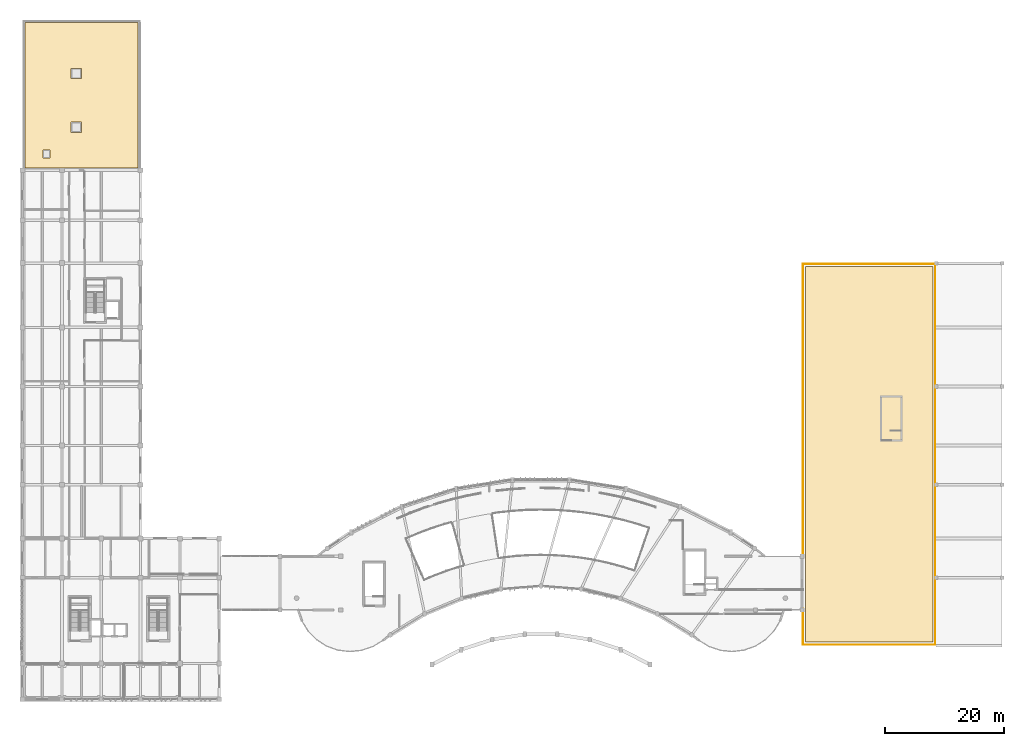
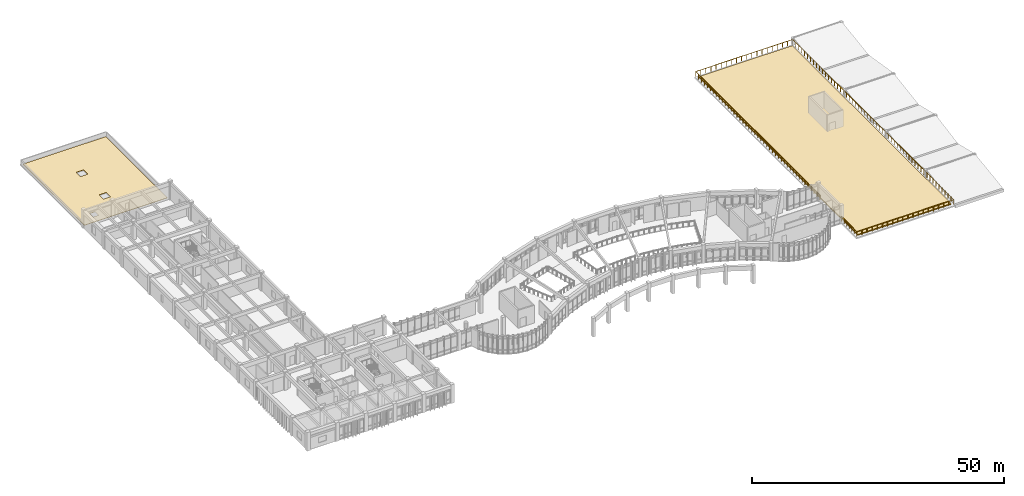
# One storey, part 53 of 54: 2 coverings, 1 railing.
"""IFC4 building model written with IfcOpenShell, lengths in metres."""

from ifc_helpers import new_model, si_unit, direction, frame, origin, origin_2d, place, context, subcontext, project, spatial, polyline, circle, outline, extrude, material, layer, layer_set, type_object, element, save


model = new_model("IFC4")

# Units and contexts
model_context = context("Model", 3, precision=1e-05, world=origin(), true_north=direction((0.0, 1.0)))
body_context = subcontext(model_context, "Body", "Model", "MODEL_VIEW")
ifc_project = project(units=[si_unit("LENGTHUNIT", "METRE"), si_unit("AREAUNIT", "SQUARE_METRE"), si_unit("VOLUMEUNIT", "CUBIC_METRE"), si_unit("PLANEANGLEUNIT", "RADIAN"), si_unit("MASSUNIT", "GRAM", prefix="KILO")], contexts=[model_context])

# Site, building, storey
site_placement = place(None, origin())
site = spatial("IfcSite", under=ifc_project, at=site_placement, CompositionType="ELEMENT")
building_placement = place(site_placement, origin())
building = spatial("IfcBuilding", under=site, at=building_placement, Name="Miralva Faculty of Natural Sciences", CompositionType="ELEMENT")
storey_placement = place(building_placement, frame((0.0, 0.0, 19.5)))
storey = spatial("IfcBuildingStorey", under=building, at=storey_placement, Name="L04", CompositionType="ELEMENT", Elevation=19.5)

# Coverings
ifc_material_1 = material(Name="Elastomeric waterproofing membrane")
ifc_layer_1 = layer(ifc_material_1, 0.0849609375, Name="COV-RF01")
ifc_layer_set_1 = layer_set([ifc_layer_1], Name="Elastomeric waterproofing membrane")
covering_type_1 = type_object("IfcCoveringType", Name="COV-RF01", PredefinedType="ROOFING", material=ifc_layer_set_1)
covering_1_placement = place(storey_placement, origin())
element("IfcCovering", 1, at=covering_1_placement, inside=storey, type_object=covering_type_1, Name="Roof membrane and substrate L04-5", PredefinedType="ROOFING", context=body_context, shape_type="SweptSolid", body=[
    extrude(outline(polyline([(22.39990234375, 92.199951171875), (3.39990234375, 92.199951171875), (3.39990234375, 116.60009765625), (22.39990234375, 116.60009765625), (22.39990234375, 92.199951171875)]), holes=[polyline([(11.14990234375, 98.14990234375), (12.85009765625, 98.14990234375), (12.85009765625, 99.85009765625), (11.14990234375, 99.85009765625), (11.14990234375, 98.14990234375)]), polyline([(11.14990234375, 108.85009765625), (11.14990234375, 107.14990234375), (12.85009765625, 107.14990234375), (12.85009765625, 108.85009765625), (11.14990234375, 108.85009765625)]), polyline([(7.60009765625, 95.199951171875), (6.39990234375, 95.199951171875), (6.39990234375, 93.800048828125), (7.60009765625, 93.800048828125), (7.60009765625, 95.199951171875)])]), origin(), (0.0, 0.0, 1.0), 0.0849609375),
])
ifc_material_2 = material(Name="Planted green-roof substrate soil")
ifc_layer_2 = layer(ifc_material_2, 0.25, Name="COV-RF02")
ifc_layer_set_2 = layer_set([ifc_layer_2], Name="Planted green-roof substrate soil")
covering_type_2 = type_object("IfcCoveringType", Name="COV-RF02", PredefinedType="ROOFING", material=ifc_layer_set_2)
covering_2_placement = place(storey_placement, origin())
element("IfcCovering", 2, at=covering_2_placement, inside=storey, type_object=covering_type_2, Name="Roof membrane and substrate L04-4", PredefinedType="ROOFING", context=body_context, shape_type="SweptSolid", body=[
    extrude(outline(polyline([(155.800048828125, 12.60009765625), (134.39990234375, 12.60009765625), (134.39990234375, 75.60009765625), (155.800048828125, 75.60009765625), (155.800048828125, 12.60009765625)])), origin(), (0.0, 0.0, 1.0), 0.25),
])

# Railing
ifc_material_3 = material(Name="Steel S355", Category="steel")
railing_type = type_object("IfcRailingType", Name="RL-GR03", PredefinedType="GUARDRAIL", material=ifc_material_3)
railing_placement = place(storey_placement, frame((133.949951171875, 26.800048828125, 0.25)))
element("IfcRailing", 3, at=railing_placement, inside=storey, type_object=railing_type, Name="Walkable terrace perimeter safety guard L04", PredefinedType="GUARDRAIL", context=body_context, shape_type="SweptSolid", body=[
    extrude(circle(Radius=0.02392578125, at=origin_2d()), frame((0.0, 0.0, 1.09619140625), z_axis=(0.0, 1.0, 0.0), x_axis=(-1.0, 0.0, 0.0)), (0.0, 0.0, 1.0), 49.25),
    extrude(circle(Radius=0.02392578125, at=origin_2d()), frame((0.0, 49.25, 1.09619140625), z_axis=(1.0, 0.0, 0.0), x_axis=(0.0, 1.0, 0.0)), (0.0, 0.0, 1.0), 22.199951171875),
    extrude(circle(Radius=0.02392578125, at=origin_2d()), frame((22.199951171875, 49.25, 1.09619140625), z_axis=(0.0, -1.0, 0.0), x_axis=(1.0, 0.0, 0.0)), (0.0, 0.0, 1.0), 63.900146484375),
    extrude(circle(Radius=0.02392578125, at=origin_2d()), frame((22.199951171875, -14.650146484375, 1.09619140625), z_axis=(-1.0, 0.0, 0.0), x_axis=(0.0, -1.0, 0.0)), (0.0, 0.0, 1.0), 22.199951171875),
    extrude(circle(Radius=0.02392578125, at=origin_2d()), frame((0.0, -14.650146484375, 1.09619140625), z_axis=(0.0, 1.0, 0.0), x_axis=(-1.0, 0.0, 0.0)), (0.0, 0.0, 1.0), 6.050048828125),
    extrude(circle(Radius=0.02099609375, at=origin_2d()), origin(), (0.0, 0.0, 1.0), 1.072021484375),
    extrude(circle(Radius=0.02099609375, at=origin_2d()), frame((0.0, 1.172607421875, 0.0)), (0.0, 0.0, 1.0), 1.072021484375),
    extrude(circle(Radius=0.02099609375, at=origin_2d()), frame((0.0, 2.34521484375, 0.0)), (0.0, 0.0, 1.0), 1.072021484375),
    extrude(circle(Radius=0.02099609375, at=origin_2d()), frame((0.0, 3.517822265625, 0.0)), (0.0, 0.0, 1.0), 1.072021484375),
    extrude(circle(Radius=0.02099609375, at=origin_2d()), frame((0.0, 4.6904296875, 0.0)), (0.0, 0.0, 1.0), 1.072021484375),
    extrude(circle(Radius=0.02099609375, at=origin_2d()), frame((0.0, 5.863037109375, 0.0)), (0.0, 0.0, 1.0), 1.072021484375),
    extrude(circle(Radius=0.02099609375, at=origin_2d()), frame((0.0, 7.03564453125, 0.0)), (0.0, 0.0, 1.0), 1.072021484375),
    extrude(circle(Radius=0.02099609375, at=origin_2d()), frame((0.0, 8.208251953125, 0.0)), (0.0, 0.0, 1.0), 1.072021484375),
    extrude(circle(Radius=0.02099609375, at=origin_2d()), frame((0.0, 9.380859375, 0.0)), (0.0, 0.0, 1.0), 1.072021484375),
    extrude(circle(Radius=0.02099609375, at=origin_2d()), frame((0.0, 10.553466796875, 0.0)), (0.0, 0.0, 1.0), 1.072021484375),
    extrude(circle(Radius=0.02099609375, at=origin_2d()), frame((0.0, 11.72607421875, 0.0)), (0.0, 0.0, 1.0), 1.072021484375),
    extrude(circle(Radius=0.02099609375, at=origin_2d()), frame((0.0, 12.89892578125, 0.0)), (0.0, 0.0, 1.0), 1.072021484375),
    extrude(circle(Radius=0.02099609375, at=origin_2d()), frame((0.0, 14.071533203125, 0.0)), (0.0, 0.0, 1.0), 1.072021484375),
    extrude(circle(Radius=0.02099609375, at=origin_2d()), frame((0.0, 15.244140625, 0.0)), (0.0, 0.0, 1.0), 1.072021484375),
    extrude(circle(Radius=0.02099609375, at=origin_2d()), frame((0.0, 16.416748046875, 0.0)), (0.0, 0.0, 1.0), 1.072021484375),
    extrude(circle(Radius=0.02099609375, at=origin_2d()), frame((0.0, 17.58935546875, 0.0)), (0.0, 0.0, 1.0), 1.072021484375),
    extrude(circle(Radius=0.02099609375, at=origin_2d()), frame((0.0, 18.761962890625, 0.0)), (0.0, 0.0, 1.0), 1.072021484375),
    extrude(circle(Radius=0.02099609375, at=origin_2d()), frame((0.0, 19.9345703125, 0.0)), (0.0, 0.0, 1.0), 1.072021484375),
    extrude(circle(Radius=0.02099609375, at=origin_2d()), frame((0.0, 21.107177734375, 0.0)), (0.0, 0.0, 1.0), 1.072021484375),
    extrude(circle(Radius=0.02099609375, at=origin_2d()), frame((0.0, 22.27978515625, 0.0)), (0.0, 0.0, 1.0), 1.072021484375),
    extrude(circle(Radius=0.02099609375, at=origin_2d()), frame((0.0, 23.452392578125, 0.0)), (0.0, 0.0, 1.0), 1.072021484375),
    extrude(circle(Radius=0.02099609375, at=origin_2d()), frame((0.0, 24.625, 0.0)), (0.0, 0.0, 1.0), 1.072021484375),
    extrude(circle(Radius=0.02099609375, at=origin_2d()), frame((0.0, 25.797607421875, 0.0)), (0.0, 0.0, 1.0), 1.072021484375),
    extrude(circle(Radius=0.02099609375, at=origin_2d()), frame((0.0, 26.97021484375, 0.0)), (0.0, 0.0, 1.0), 1.072021484375),
    extrude(circle(Radius=0.02099609375, at=origin_2d()), frame((0.0, 28.142822265625, 0.0)), (0.0, 0.0, 1.0), 1.072021484375),
    extrude(circle(Radius=0.02099609375, at=origin_2d()), frame((0.0, 29.3154296875, 0.0)), (0.0, 0.0, 1.0), 1.072021484375),
    extrude(circle(Radius=0.02099609375, at=origin_2d()), frame((0.0, 30.488037109375, 0.0)), (0.0, 0.0, 1.0), 1.072021484375),
    extrude(circle(Radius=0.02099609375, at=origin_2d()), frame((0.0, 31.66064453125, 0.0)), (0.0, 0.0, 1.0), 1.072021484375),
    extrude(circle(Radius=0.02099609375, at=origin_2d()), frame((0.0, 32.833251953125, 0.0)), (0.0, 0.0, 1.0), 1.072021484375),
    extrude(circle(Radius=0.02099609375, at=origin_2d()), frame((0.0, 34.005859375, 0.0)), (0.0, 0.0, 1.0), 1.072021484375),
    extrude(circle(Radius=0.02099609375, at=origin_2d()), frame((0.0, 35.178466796875, 0.0)), (0.0, 0.0, 1.0), 1.072021484375),
    extrude(circle(Radius=0.02099609375, at=origin_2d()), frame((0.0, 36.35107421875, 0.0)), (0.0, 0.0, 1.0), 1.072021484375),
    extrude(circle(Radius=0.02099609375, at=origin_2d()), frame((0.0, 37.52392578125, 0.0)), (0.0, 0.0, 1.0), 1.072021484375),
    extrude(circle(Radius=0.02099609375, at=origin_2d()), frame((0.0, 38.696533203125, 0.0)), (0.0, 0.0, 1.0), 1.072021484375),
    extrude(circle(Radius=0.02099609375, at=origin_2d()), frame((0.0, 39.869140625, 0.0)), (0.0, 0.0, 1.0), 1.072021484375),
    extrude(circle(Radius=0.02099609375, at=origin_2d()), frame((0.0, 41.041748046875, 0.0)), (0.0, 0.0, 1.0), 1.072021484375),
    extrude(circle(Radius=0.02099609375, at=origin_2d()), frame((0.0, 42.21435546875, 0.0)), (0.0, 0.0, 1.0), 1.072021484375),
    extrude(circle(Radius=0.02099609375, at=origin_2d()), frame((0.0, 43.386962890625, 0.0)), (0.0, 0.0, 1.0), 1.072021484375),
    extrude(circle(Radius=0.02099609375, at=origin_2d()), frame((0.0, 44.5595703125, 0.0)), (0.0, 0.0, 1.0), 1.072021484375),
    extrude(circle(Radius=0.02099609375, at=origin_2d()), frame((0.0, 45.732177734375, 0.0)), (0.0, 0.0, 1.0), 1.072021484375),
    extrude(circle(Radius=0.02099609375, at=origin_2d()), frame((0.0, 46.90478515625, 0.0)), (0.0, 0.0, 1.0), 1.072021484375),
    extrude(circle(Radius=0.02099609375, at=origin_2d()), frame((0.0, 48.077392578125, 0.0)), (0.0, 0.0, 1.0), 1.072021484375),
    extrude(circle(Radius=0.02099609375, at=origin_2d()), frame((0.0, 49.25, 0.0)), (0.0, 0.0, 1.0), 1.072021484375),
    extrude(circle(Radius=0.02099609375, at=origin_2d()), frame((1.16845703125, 49.25, 0.0)), (0.0, 0.0, 1.0), 1.072021484375),
    extrude(circle(Radius=0.02099609375, at=origin_2d()), frame((2.3369140625, 49.25, 0.0)), (0.0, 0.0, 1.0), 1.072021484375),
    extrude(circle(Radius=0.02099609375, at=origin_2d()), frame((3.50537109375, 49.25, 0.0)), (0.0, 0.0, 1.0), 1.072021484375),
    extrude(circle(Radius=0.02099609375, at=origin_2d()), frame((4.673583984375, 49.25, 0.0)), (0.0, 0.0, 1.0), 1.072021484375),
    extrude(circle(Radius=0.02099609375, at=origin_2d()), frame((5.842041015625, 49.25, 0.0)), (0.0, 0.0, 1.0), 1.072021484375),
    extrude(circle(Radius=0.02099609375, at=origin_2d()), frame((7.010498046875, 49.25, 0.0)), (0.0, 0.0, 1.0), 1.072021484375),
    extrude(circle(Radius=0.02099609375, at=origin_2d()), frame((8.178955078125, 49.25, 0.0)), (0.0, 0.0, 1.0), 1.072021484375),
    extrude(circle(Radius=0.02099609375, at=origin_2d()), frame((9.347412109375, 49.25, 0.0)), (0.0, 0.0, 1.0), 1.072021484375),
    extrude(circle(Radius=0.02099609375, at=origin_2d()), frame((10.515869140625, 49.25, 0.0)), (0.0, 0.0, 1.0), 1.072021484375),
    extrude(circle(Radius=0.02099609375, at=origin_2d()), frame((11.68408203125, 49.25, 0.0)), (0.0, 0.0, 1.0), 1.072021484375),
    extrude(circle(Radius=0.02099609375, at=origin_2d()), frame((12.8525390625, 49.25, 0.0)), (0.0, 0.0, 1.0), 1.072021484375),
    extrude(circle(Radius=0.02099609375, at=origin_2d()), frame((14.02099609375, 49.25, 0.0)), (0.0, 0.0, 1.0), 1.072021484375),
    extrude(circle(Radius=0.02099609375, at=origin_2d()), frame((15.189453125, 49.25, 0.0)), (0.0, 0.0, 1.0), 1.072021484375),
    extrude(circle(Radius=0.02099609375, at=origin_2d()), frame((16.35791015625, 49.25, 0.0)), (0.0, 0.0, 1.0), 1.072021484375),
    extrude(circle(Radius=0.02099609375, at=origin_2d()), frame((17.5263671875, 49.25, 0.0)), (0.0, 0.0, 1.0), 1.072021484375),
    extrude(circle(Radius=0.02099609375, at=origin_2d()), frame((18.694580078125, 49.25, 0.0)), (0.0, 0.0, 1.0), 1.072021484375),
    extrude(circle(Radius=0.02099609375, at=origin_2d()), frame((19.863037109375, 49.25, 0.0)), (0.0, 0.0, 1.0), 1.072021484375),
    extrude(circle(Radius=0.02099609375, at=origin_2d()), frame((21.031494140625, 49.25, 0.0)), (0.0, 0.0, 1.0), 1.072021484375),
    extrude(circle(Radius=0.02099609375, at=origin_2d()), frame((22.199951171875, 49.25, 0.0)), (0.0, 0.0, 1.0), 1.072021484375),
    extrude(circle(Radius=0.02099609375, at=origin_2d()), frame((22.199951171875, 48.066650390625, 0.0)), (0.0, 0.0, 1.0), 1.072021484375),
    extrude(circle(Radius=0.02099609375, at=origin_2d()), frame((22.199951171875, 46.88330078125, 0.0)), (0.0, 0.0, 1.0), 1.072021484375),
    extrude(circle(Radius=0.02099609375, at=origin_2d()), frame((22.199951171875, 45.699951171875, 0.0)), (0.0, 0.0, 1.0), 1.072021484375),
    extrude(circle(Radius=0.02099609375, at=origin_2d()), frame((22.199951171875, 44.5166015625, 0.0)), (0.0, 0.0, 1.0), 1.072021484375),
    extrude(circle(Radius=0.02099609375, at=origin_2d()), frame((22.199951171875, 43.333251953125, 0.0)), (0.0, 0.0, 1.0), 1.072021484375),
    extrude(circle(Radius=0.02099609375, at=origin_2d()), frame((22.199951171875, 42.14990234375, 0.0)), (0.0, 0.0, 1.0), 1.072021484375),
    extrude(circle(Radius=0.02099609375, at=origin_2d()), frame((22.199951171875, 40.966552734375, 0.0)), (0.0, 0.0, 1.0), 1.072021484375),
    extrude(circle(Radius=0.02099609375, at=origin_2d()), frame((22.199951171875, 39.783203125, 0.0)), (0.0, 0.0, 1.0), 1.072021484375),
    extrude(circle(Radius=0.02099609375, at=origin_2d()), frame((22.199951171875, 38.60009765625, 0.0)), (0.0, 0.0, 1.0), 1.072021484375),
    extrude(circle(Radius=0.02099609375, at=origin_2d()), frame((22.199951171875, 37.416748046875, 0.0)), (0.0, 0.0, 1.0), 1.072021484375),
    extrude(circle(Radius=0.02099609375, at=origin_2d()), frame((22.199951171875, 36.2333984375, 0.0)), (0.0, 0.0, 1.0), 1.072021484375),
    extrude(circle(Radius=0.02099609375, at=origin_2d()), frame((22.199951171875, 35.050048828125, 0.0)), (0.0, 0.0, 1.0), 1.072021484375),
    extrude(circle(Radius=0.02099609375, at=origin_2d()), frame((22.199951171875, 33.86669921875, 0.0)), (0.0, 0.0, 1.0), 1.072021484375),
    extrude(circle(Radius=0.02099609375, at=origin_2d()), frame((22.199951171875, 32.683349609375, 0.0)), (0.0, 0.0, 1.0), 1.072021484375),
    extrude(circle(Radius=0.02099609375, at=origin_2d()), frame((22.199951171875, 31.5, 0.0)), (0.0, 0.0, 1.0), 1.072021484375),
    extrude(circle(Radius=0.02099609375, at=origin_2d()), frame((22.199951171875, 30.316650390625, 0.0)), (0.0, 0.0, 1.0), 1.072021484375),
    extrude(circle(Radius=0.02099609375, at=origin_2d()), frame((22.199951171875, 29.13330078125, 0.0)), (0.0, 0.0, 1.0), 1.072021484375),
    extrude(circle(Radius=0.02099609375, at=origin_2d()), frame((22.199951171875, 27.949951171875, 0.0)), (0.0, 0.0, 1.0), 1.072021484375),
    extrude(circle(Radius=0.02099609375, at=origin_2d()), frame((22.199951171875, 26.7666015625, 0.0)), (0.0, 0.0, 1.0), 1.072021484375),
    extrude(circle(Radius=0.02099609375, at=origin_2d()), frame((22.199951171875, 25.583251953125, 0.0)), (0.0, 0.0, 1.0), 1.072021484375),
    extrude(circle(Radius=0.02099609375, at=origin_2d()), frame((22.199951171875, 24.39990234375, 0.0)), (0.0, 0.0, 1.0), 1.072021484375),
    extrude(circle(Radius=0.02099609375, at=origin_2d()), frame((22.199951171875, 23.216552734375, 0.0)), (0.0, 0.0, 1.0), 1.072021484375),
    extrude(circle(Radius=0.02099609375, at=origin_2d()), frame((22.199951171875, 22.033203125, 0.0)), (0.0, 0.0, 1.0), 1.072021484375),
    extrude(circle(Radius=0.02099609375, at=origin_2d()), frame((22.199951171875, 20.849853515625, 0.0)), (0.0, 0.0, 1.0), 1.072021484375),
    extrude(circle(Radius=0.02099609375, at=origin_2d()), frame((22.199951171875, 19.66650390625, 0.0)), (0.0, 0.0, 1.0), 1.072021484375),
    extrude(circle(Radius=0.02099609375, at=origin_2d()), frame((22.199951171875, 18.483154296875, 0.0)), (0.0, 0.0, 1.0), 1.072021484375),
    extrude(circle(Radius=0.02099609375, at=origin_2d()), frame((22.199951171875, 17.2998046875, 0.0)), (0.0, 0.0, 1.0), 1.072021484375),
    extrude(circle(Radius=0.02099609375, at=origin_2d()), frame((22.199951171875, 16.11669921875, 0.0)), (0.0, 0.0, 1.0), 1.072021484375),
    extrude(circle(Radius=0.02099609375, at=origin_2d()), frame((22.199951171875, 14.933349609375, 0.0)), (0.0, 0.0, 1.0), 1.072021484375),
    extrude(circle(Radius=0.02099609375, at=origin_2d()), frame((22.199951171875, 13.75, 0.0)), (0.0, 0.0, 1.0), 1.072021484375),
    extrude(circle(Radius=0.02099609375, at=origin_2d()), frame((22.199951171875, 12.566650390625, 0.0)), (0.0, 0.0, 1.0), 1.072021484375),
    extrude(circle(Radius=0.02099609375, at=origin_2d()), frame((22.199951171875, 11.38330078125, 0.0)), (0.0, 0.0, 1.0), 1.072021484375),
    extrude(circle(Radius=0.02099609375, at=origin_2d()), frame((22.199951171875, 10.199951171875, 0.0)), (0.0, 0.0, 1.0), 1.072021484375),
    extrude(circle(Radius=0.02099609375, at=origin_2d()), frame((22.199951171875, 9.0166015625, 0.0)), (0.0, 0.0, 1.0), 1.072021484375),
    extrude(circle(Radius=0.02099609375, at=origin_2d()), frame((22.199951171875, 7.833251953125, 0.0)), (0.0, 0.0, 1.0), 1.072021484375),
    extrude(circle(Radius=0.02099609375, at=origin_2d()), frame((22.199951171875, 6.64990234375, 0.0)), (0.0, 0.0, 1.0), 1.072021484375),
    extrude(circle(Radius=0.02099609375, at=origin_2d()), frame((22.199951171875, 5.466552734375, 0.0)), (0.0, 0.0, 1.0), 1.072021484375),
    extrude(circle(Radius=0.02099609375, at=origin_2d()), frame((22.199951171875, 4.283203125, 0.0)), (0.0, 0.0, 1.0), 1.072021484375),
    extrude(circle(Radius=0.02099609375, at=origin_2d()), frame((22.199951171875, 3.099853515625, 0.0)), (0.0, 0.0, 1.0), 1.072021484375),
    extrude(circle(Radius=0.02099609375, at=origin_2d()), frame((22.199951171875, 1.91650390625, 0.0)), (0.0, 0.0, 1.0), 1.072021484375),
    extrude(circle(Radius=0.02099609375, at=origin_2d()), frame((22.199951171875, 0.733154296875, 0.0)), (0.0, 0.0, 1.0), 1.072021484375),
    extrude(circle(Radius=0.02099609375, at=origin_2d()), frame((22.199951171875, -0.4501953125, 0.0)), (0.0, 0.0, 1.0), 1.072021484375),
    extrude(circle(Radius=0.02099609375, at=origin_2d()), frame((22.199951171875, -1.633544921875, 0.0)), (0.0, 0.0, 1.0), 1.072021484375),
    extrude(circle(Radius=0.02099609375, at=origin_2d()), frame((22.199951171875, -2.81689453125, 0.0)), (0.0, 0.0, 1.0), 1.072021484375),
    extrude(circle(Radius=0.02099609375, at=origin_2d()), frame((22.199951171875, -4.0, 0.0)), (0.0, 0.0, 1.0), 1.072021484375),
    extrude(circle(Radius=0.02099609375, at=origin_2d()), frame((22.199951171875, -5.183349609375, 0.0)), (0.0, 0.0, 1.0), 1.072021484375),
    extrude(circle(Radius=0.02099609375, at=origin_2d()), frame((22.199951171875, -6.36669921875, 0.0)), (0.0, 0.0, 1.0), 1.072021484375),
    extrude(circle(Radius=0.02099609375, at=origin_2d()), frame((22.199951171875, -7.550048828125, 0.0)), (0.0, 0.0, 1.0), 1.072021484375),
    extrude(circle(Radius=0.02099609375, at=origin_2d()), frame((22.199951171875, -8.7333984375, 0.0)), (0.0, 0.0, 1.0), 1.072021484375),
    extrude(circle(Radius=0.02099609375, at=origin_2d()), frame((22.199951171875, -9.916748046875, 0.0)), (0.0, 0.0, 1.0), 1.072021484375),
    extrude(circle(Radius=0.02099609375, at=origin_2d()), frame((22.199951171875, -11.10009765625, 0.0)), (0.0, 0.0, 1.0), 1.072021484375),
    extrude(circle(Radius=0.02099609375, at=origin_2d()), frame((22.199951171875, -12.283447265625, 0.0)), (0.0, 0.0, 1.0), 1.072021484375),
    extrude(circle(Radius=0.02099609375, at=origin_2d()), frame((22.199951171875, -13.466796875, 0.0)), (0.0, 0.0, 1.0), 1.072021484375),
    extrude(circle(Radius=0.02099609375, at=origin_2d()), frame((22.199951171875, -14.650146484375, 0.0)), (0.0, 0.0, 1.0), 1.072021484375),
    extrude(circle(Radius=0.02099609375, at=origin_2d()), frame((21.031494140625, -14.650146484375, 0.0)), (0.0, 0.0, 1.0), 1.072021484375),
    extrude(circle(Radius=0.02099609375, at=origin_2d()), frame((19.863037109375, -14.650146484375, 0.0)), (0.0, 0.0, 1.0), 1.072021484375),
    extrude(circle(Radius=0.02099609375, at=origin_2d()), frame((18.694580078125, -14.650146484375, 0.0)), (0.0, 0.0, 1.0), 1.072021484375),
    extrude(circle(Radius=0.02099609375, at=origin_2d()), frame((17.5263671875, -14.650146484375, 0.0)), (0.0, 0.0, 1.0), 1.072021484375),
    extrude(circle(Radius=0.02099609375, at=origin_2d()), frame((16.35791015625, -14.650146484375, 0.0)), (0.0, 0.0, 1.0), 1.072021484375),
    extrude(circle(Radius=0.02099609375, at=origin_2d()), frame((15.189453125, -14.650146484375, 0.0)), (0.0, 0.0, 1.0), 1.072021484375),
    extrude(circle(Radius=0.02099609375, at=origin_2d()), frame((14.02099609375, -14.650146484375, 0.0)), (0.0, 0.0, 1.0), 1.072021484375),
    extrude(circle(Radius=0.02099609375, at=origin_2d()), frame((12.8525390625, -14.650146484375, 0.0)), (0.0, 0.0, 1.0), 1.072021484375),
    extrude(circle(Radius=0.02099609375, at=origin_2d()), frame((11.68408203125, -14.650146484375, 0.0)), (0.0, 0.0, 1.0), 1.072021484375),
    extrude(circle(Radius=0.02099609375, at=origin_2d()), frame((10.515869140625, -14.650146484375, 0.0)), (0.0, 0.0, 1.0), 1.072021484375),
    extrude(circle(Radius=0.02099609375, at=origin_2d()), frame((9.347412109375, -14.650146484375, 0.0)), (0.0, 0.0, 1.0), 1.072021484375),
    extrude(circle(Radius=0.02099609375, at=origin_2d()), frame((8.178955078125, -14.650146484375, 0.0)), (0.0, 0.0, 1.0), 1.072021484375),
    extrude(circle(Radius=0.02099609375, at=origin_2d()), frame((7.010498046875, -14.650146484375, 0.0)), (0.0, 0.0, 1.0), 1.072021484375),
    extrude(circle(Radius=0.02099609375, at=origin_2d()), frame((5.842041015625, -14.650146484375, 0.0)), (0.0, 0.0, 1.0), 1.072021484375),
    extrude(circle(Radius=0.02099609375, at=origin_2d()), frame((4.673583984375, -14.650146484375, 0.0)), (0.0, 0.0, 1.0), 1.072021484375),
    extrude(circle(Radius=0.02099609375, at=origin_2d()), frame((3.50537109375, -14.650146484375, 0.0)), (0.0, 0.0, 1.0), 1.072021484375),
    extrude(circle(Radius=0.02099609375, at=origin_2d()), frame((2.3369140625, -14.650146484375, 0.0)), (0.0, 0.0, 1.0), 1.072021484375),
    extrude(circle(Radius=0.02099609375, at=origin_2d()), frame((1.16845703125, -14.650146484375, 0.0)), (0.0, 0.0, 1.0), 1.072021484375),
    extrude(circle(Radius=0.02099609375, at=origin_2d()), frame((0.0, -14.650146484375, 0.0)), (0.0, 0.0, 1.0), 1.072021484375),
    extrude(circle(Radius=0.02099609375, at=origin_2d()), frame((0.0, -13.641845703125, 0.0)), (0.0, 0.0, 1.0), 1.072021484375),
    extrude(circle(Radius=0.02099609375, at=origin_2d()), frame((0.0, -12.633544921875, 0.0)), (0.0, 0.0, 1.0), 1.072021484375),
    extrude(circle(Radius=0.02099609375, at=origin_2d()), frame((0.0, -11.625, 0.0)), (0.0, 0.0, 1.0), 1.072021484375),
    extrude(circle(Radius=0.02099609375, at=origin_2d()), frame((0.0, -10.61669921875, 0.0)), (0.0, 0.0, 1.0), 1.072021484375),
    extrude(circle(Radius=0.02099609375, at=origin_2d()), frame((0.0, -9.6083984375, 0.0)), (0.0, 0.0, 1.0), 1.072021484375),
    extrude(circle(Radius=0.02099609375, at=origin_2d()), frame((0.0, -8.60009765625, 0.0)), (0.0, 0.0, 1.0), 1.072021484375),
])

save(model, "model.ifc")
